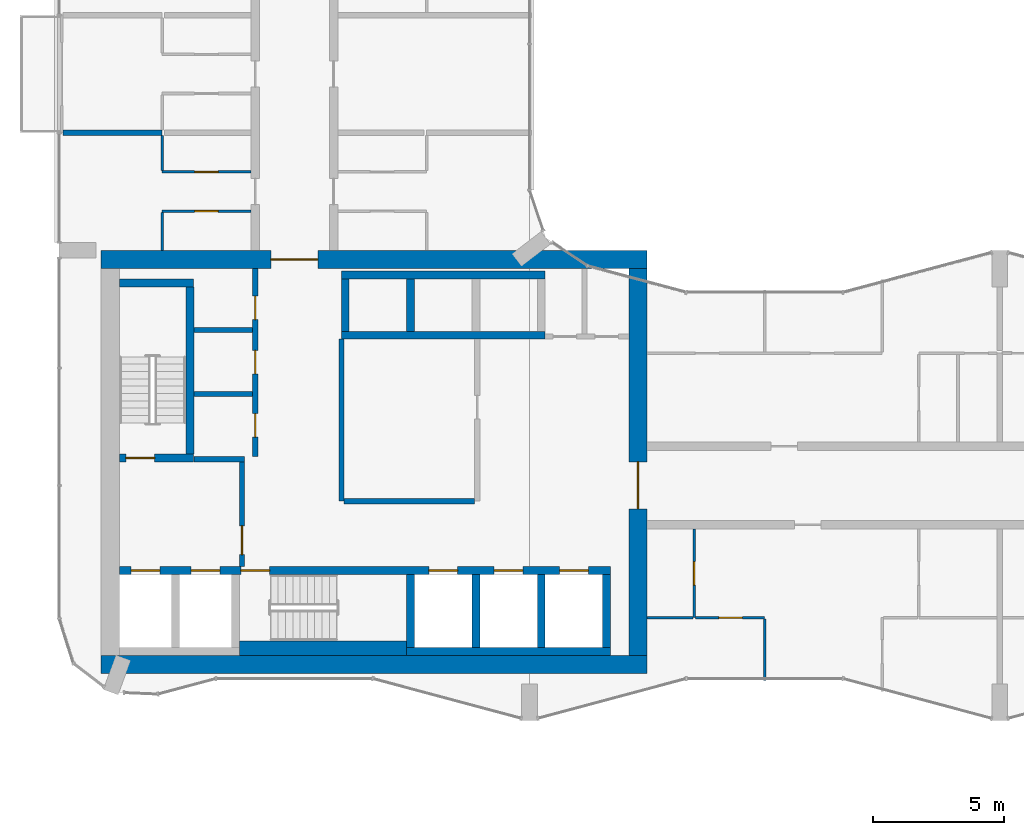
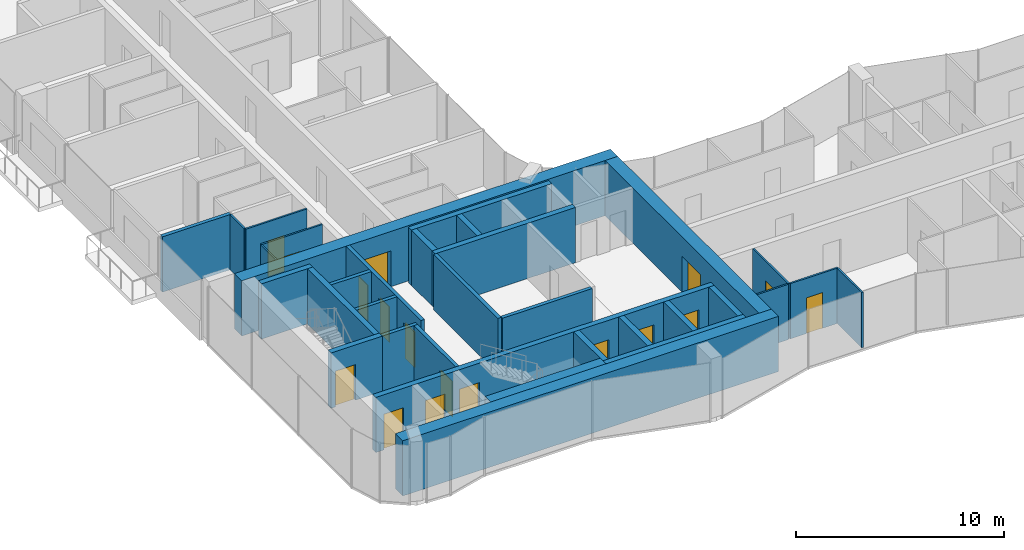
# One storey, part 13 of 23: 33 walls, 17 doors, 17 openings.
"""IFC4 building model written with IfcOpenShell, lengths in metres."""

from ifc_helpers import new_model, si_unit, direction, frame, frame_2d, origin, place, context, subcontext, project, spatial, rectangle, extrude, material, layer, layer_set, type_object, element, fill, save


model = new_model("IFC4")

# Units and contexts
model_context = context("Model", 3, precision=1e-05, world=origin(), true_north=direction((0.0, 1.0)))
body_context = subcontext(model_context, "Body", "Model", "MODEL_VIEW")
ifc_project = project(units=[si_unit("LENGTHUNIT", "METRE"), si_unit("AREAUNIT", "SQUARE_METRE"), si_unit("VOLUMEUNIT", "CUBIC_METRE"), si_unit("PLANEANGLEUNIT", "RADIAN"), si_unit("MASSUNIT", "GRAM", prefix="KILO")], contexts=[model_context])

# Site, building, storey
site_placement = place(None, origin())
site = spatial("IfcSite", under=ifc_project, at=site_placement, CompositionType="ELEMENT")
building_placement = place(site_placement, origin())
building = spatial("IfcBuilding", under=site, at=building_placement, Name="Plateau Cross Towers", CompositionType="ELEMENT")
storey_placement = place(building_placement, frame((0.0, 0.0, 88.800048828125)))
storey = spatial("IfcBuildingStorey", under=building, at=storey_placement, Name="L22", CompositionType="ELEMENT", Elevation=88.800048828125)

# Wall, opening, door
ifc_material_1 = material(Name="Concrete block, plastered both sides", Category="concrete")
ifc_layer_1 = layer(ifc_material_1, 0.199951171875)
ifc_layer_set_1 = layer_set([ifc_layer_1], Name="Concrete block, plastered both sides")
wall_type_1 = type_object("IfcWallType", Name="Core partition 200", PredefinedType="PARTITIONING", material=ifc_layer_set_1)
wall_1_placement = place(storey_placement, frame((7.0, 5.89990234375, 0.0), z_axis=(0.0, 0.0, 1.0), x_axis=(0.0, 1.0, 0.0)))
wall_1 = element("IfcWall", 1, at=wall_1_placement, inside=storey, type_object=wall_type_1, Name="Core partition", PredefinedType="PARTITIONING", context=body_context, shape_type="SweptSolid", body=[
    extrude(rectangle(XDim=4.0, YDim=0.199951171875, at=frame_2d((2.0, 0.0))), origin(), (0.0, 0.0, 1.0), 3.25),
])
opening_1_placement = place(wall_1_placement, frame((0.449951171875, 0.0, 0.0)))
opening_1 = element("IfcOpeningElement", 2, at=opening_1_placement, cuts=wall_1, Name="Opening FFD", PredefinedType="OPENING", context=body_context, shape_type="SweptSolid", body=[
    extrude(rectangle(XDim=1.10009765625, YDim=2.10009765625, at=frame_2d((0.550048828125, 1.050048828125))), frame((0.0, 0.10986328125, 0.0), z_axis=(0.0, -1.0, 0.0), x_axis=(1.0, 0.0, 0.0)), (0.0, 0.0, 1.0), 0.219970703125),
])
ifc_material_2 = material(Name="Steel, fire-resisting leaf", Category="steel")
door_type_1 = type_object("IfcDoorType", Name="Firefighting lobby door 1100", OperationType="NOTDEFINED", PredefinedType="DOOR", material=ifc_material_2)
door_1_placement = place(opening_1_placement, origin())
door_1 = element("IfcDoor", 3, at=door_1_placement, inside=storey, type_object=door_type_1, Name="Firefighting lobby door FFD", OperationType="SINGLE_SWING_LEFT", OverallHeight=2.10009765625, OverallWidth=1.10009765625, PredefinedType="DOOR", context=body_context, shape_type="SweptSolid", body=[
    extrude(rectangle(XDim=1.10009765625, YDim=2.10009765625, at=frame_2d((0.550048828125, 1.050048828125))), frame((0.0, 0.02490234375, 0.0), z_axis=(0.0, -1.0, 0.0), x_axis=(1.0, 0.0, 0.0)), (0.0, 0.0, 1.0), 0.050048828125),
])
fill(opening_1, door_1)

# Walls
wall_2_placement = place(storey_placement, frame((5.14990234375, 10.0, 0.0), z_axis=(0.0, 0.0, 1.0), x_axis=(1.0, 0.0, 0.0)))
element("IfcWall", 4, at=wall_2_placement, inside=storey, type_object=wall_type_1, Name="Core partition", PredefinedType="PARTITIONING", context=body_context, shape_type="SweptSolid", body=[
    extrude(rectangle(XDim=1.9501953125, YDim=0.199951171875, at=frame_2d((0.97509765625, 0.0))), origin(), (0.0, 0.0, 1.0), 3.25),
])
wall_3_placement = place(storey_placement, frame((10.800048828125, 8.39990234375, 0.0), z_axis=(0.0, 0.0, 1.0), x_axis=(0.0, 1.0, 0.0)))
element("IfcWall", 5, at=wall_3_placement, inside=storey, type_object=wall_type_1, Name="Core partition", PredefinedType="PARTITIONING", context=body_context, shape_type="SweptSolid", body=[
    extrude(rectangle(XDim=6.2001953125, YDim=0.199951171875, at=frame_2d((3.10009765625, 0.0))), origin(), (0.0, 0.0, 1.0), 3.25),
])
wall_4_placement = place(storey_placement, frame((10.89990234375, 8.39990234375, 0.0), z_axis=(0.0, 0.0, 1.0), x_axis=(1.0, 0.0, 0.0)))
element("IfcWall", 6, at=wall_4_placement, inside=storey, type_object=wall_type_1, Name="Core partition", PredefinedType="PARTITIONING", context=body_context, shape_type="SweptSolid", body=[
    extrude(rectangle(XDim=5.0, YDim=0.199951171875, at=frame_2d((2.5, 0.0))), origin(), (0.0, 0.0, 1.0), 3.25),
])

# Wall, openings, doors
wall_5_placement = place(storey_placement, frame((7.5, 10.10009765625, 0.0), z_axis=(0.0, 0.0, 1.0), x_axis=(0.0, 1.0, 0.0)))
wall_5 = element("IfcWall", 7, at=wall_5_placement, inside=storey, type_object=wall_type_1, Name="Core partition", PredefinedType="PARTITIONING", context=body_context, shape_type="SweptSolid", body=[
    extrude(rectangle(XDim=7.199951171875, YDim=0.199951171875, at=frame_2d((3.60009765625, 0.0))), origin(), (0.0, 0.0, 1.0), 3.25),
])
opening_2_placement = place(wall_5_placement, frame((0.75, 0.0, 0.0)))
opening_2 = element("IfcOpeningElement", 8, at=opening_2_placement, cuts=wall_5, Name="Opening RD1", PredefinedType="OPENING", context=body_context, shape_type="SweptSolid", body=[
    extrude(rectangle(XDim=0.89990234375, YDim=2.10009765625, at=frame_2d((0.449951171875, 1.050048828125))), frame((0.0, 0.10986328125, 0.0), z_axis=(0.0, -1.0, 0.0), x_axis=(1.0, 0.0, 0.0)), (0.0, 0.0, 1.0), 0.219970703125),
])
opening_3_placement = place(wall_5_placement, frame((3.175048828125, 0.0, 0.0)))
opening_3 = element("IfcOpeningElement", 9, at=opening_3_placement, cuts=wall_5, Name="Opening RD1", PredefinedType="OPENING", context=body_context, shape_type="SweptSolid", body=[
    extrude(rectangle(XDim=0.89990234375, YDim=2.10009765625, at=frame_2d((0.449951171875, 1.050048828125))), frame((0.0, 0.10986328125, 0.0), z_axis=(0.0, -1.0, 0.0), x_axis=(1.0, 0.0, 0.0)), (0.0, 0.0, 1.0), 0.219970703125),
])
opening_4_placement = place(wall_5_placement, frame((5.25, 0.0, 0.0)))
opening_4 = element("IfcOpeningElement", 10, at=opening_4_placement, cuts=wall_5, Name="Opening RD1", PredefinedType="OPENING", context=body_context, shape_type="SweptSolid", body=[
    extrude(rectangle(XDim=0.89990234375, YDim=2.10009765625, at=frame_2d((0.449951171875, 1.050048828125))), frame((0.0, 0.10986328125, 0.0), z_axis=(0.0, -1.0, 0.0), x_axis=(1.0, 0.0, 0.0)), (0.0, 0.0, 1.0), 0.219970703125),
])
ifc_material_3 = material(Name="Timber, fire-resisting leaf", Category="wood")
door_type_2 = type_object("IfcDoorType", Name="Core service door 900", OperationType="NOTDEFINED", PredefinedType="DOOR", material=ifc_material_3)
door_2_placement = place(opening_2_placement, origin())
door_2 = element("IfcDoor", 11, at=door_2_placement, inside=storey, type_object=door_type_2, Name="Core service door RD1", OperationType="SINGLE_SWING_RIGHT", OverallHeight=2.10009765625, OverallWidth=0.89990234375, PredefinedType="DOOR", context=body_context, shape_type="SweptSolid", body=[
    extrude(rectangle(XDim=0.89990234375, YDim=2.10009765625, at=frame_2d((0.449951171875, 1.050048828125))), frame((0.0, 0.02490234375, 0.0), z_axis=(0.0, -1.0, 0.0), x_axis=(1.0, 0.0, 0.0)), (0.0, 0.0, 1.0), 0.050048828125),
])
fill(opening_2, door_2)
door_3_placement = place(opening_3_placement, origin())
door_3 = element("IfcDoor", 12, at=door_3_placement, inside=storey, type_object=door_type_2, Name="Core service door RD1", OperationType="SINGLE_SWING_RIGHT", OverallHeight=2.10009765625, OverallWidth=0.89990234375, PredefinedType="DOOR", context=body_context, shape_type="SweptSolid", body=[
    extrude(rectangle(XDim=0.89990234375, YDim=2.10009765625, at=frame_2d((0.449951171875, 1.050048828125))), frame((0.0, 0.02490234375, 0.0), z_axis=(0.0, -1.0, 0.0), x_axis=(1.0, 0.0, 0.0)), (0.0, 0.0, 1.0), 0.050048828125),
])
fill(opening_3, door_3)
door_4_placement = place(opening_4_placement, origin())
door_4 = element("IfcDoor", 13, at=door_4_placement, inside=storey, type_object=door_type_2, Name="Core service door RD1", OperationType="SINGLE_SWING_RIGHT", OverallHeight=2.10009765625, OverallWidth=0.89990234375, PredefinedType="DOOR", context=body_context, shape_type="SweptSolid", body=[
    extrude(rectangle(XDim=0.89990234375, YDim=2.10009765625, at=frame_2d((0.449951171875, 1.050048828125))), frame((0.0, 0.02490234375, 0.0), z_axis=(0.0, -1.0, 0.0), x_axis=(1.0, 0.0, 0.0)), (0.0, 0.0, 1.0), 0.050048828125),
])
fill(opening_4, door_4)

# Walls
for number, where, z_axis, x_axis, name in (
    (14, (5.14990234375, 12.5, 0.0), (0.0, 0.0, 1.0), (1.0, 0.0, 0.0), "Core partition"),
    (15, (5.14990234375, 14.949951171875, 0.0), (0.0, 0.0, 1.0), (1.0, 0.0, 0.0), "Core partition"),
):
    element("IfcWall", number, at=place(storey_placement, frame(where, z_axis=z_axis, x_axis=x_axis)), inside=storey, type_object=wall_type_1, Name=name, PredefinedType="PARTITIONING", context=body_context, shape_type="SweptSolid", body=[
        extrude(rectangle(XDim=2.25, YDim=0.199951171875, at=frame_2d((1.125, 0.0))), origin(), (0.0, 0.0, 1.0), 3.25),
    ])
ifc_material_4 = material(Name="Concrete C60/75", Category="concrete")
ifc_layer_2 = layer(ifc_material_4, 0.300048828125)
ifc_layer_set_2 = layer_set([ifc_layer_2], Name="Concrete C60/75")
wall_type_2 = type_object("IfcWallType", Name="Core shaft wall 300", PredefinedType="SHEAR", material=ifc_layer_set_2)
wall_6_placement = place(storey_placement, frame((13.300048828125, 2.64990234375, 0.0), z_axis=(0.0, 0.0, 1.0), x_axis=(1.0, 0.0, 0.0)))
element("IfcWall", 16, at=wall_6_placement, inside=storey, type_object=wall_type_2, Name="A-sb-back3@L22", PredefinedType="SHEAR", context=body_context, shape_type="SweptSolid", body=[
    extrude(rectangle(XDim=7.800048828125, YDim=0.300048828125, at=frame_2d((3.89990234375, 0.0))), origin(), (0.0, 0.0, 1.0), 3.25),
])
for number, where, z_axis, x_axis, name in (
    (17, (13.449951171875, 2.800048828125, 0.0), (0.0, 0.0, 1.0), (0.0, 1.0, 0.0), "A-sb-v3@L22"),
    (18, (15.949951171875, 2.800048828125, 0.0), (0.0, 0.0, 1.0), (0.0, 1.0, 0.0), "A-sb-v4@L22"),
    (19, (18.449951171875, 2.800048828125, 0.0), (0.0, 0.0, 1.0), (0.0, 1.0, 0.0), "A-sb-v5@L22"),
    (20, (20.949951171875, 2.800048828125, 0.0), (0.0, 0.0, 1.0), (0.0, 1.0, 0.0), "A-sb-v6@L22"),
):
    element("IfcWall", number, at=place(storey_placement, frame(where, z_axis=z_axis, x_axis=x_axis)), inside=storey, type_object=wall_type_2, Name=name, PredefinedType="SHEAR", context=body_context, shape_type="SweptSolid", body=[
        extrude(rectangle(XDim=2.800048828125, YDim=0.300048828125, at=frame_2d((1.39990234375, 0.0))), origin(), (0.0, 0.0, 1.0), 3.25),
    ])

# Wall, openings, doors
wall_7_placement = place(storey_placement, frame((2.300048828125, 5.75, 0.0), z_axis=(0.0, 0.0, 1.0), x_axis=(1.0, 0.0, 0.0)))
wall_7 = element("IfcWall", 21, at=wall_7_placement, inside=storey, type_object=wall_type_2, Name="A-sb-front@L22", PredefinedType="SHEAR", context=body_context, shape_type="SweptSolid", body=[
    extrude(rectangle(XDim=18.800048828125, YDim=0.300048828125, at=frame_2d((9.39990234375, 0.0))), origin(), (0.0, 0.0, 1.0), 3.25),
])
opening_5_placement = place(wall_7_placement, frame((4.64990234375, 0.0, 0.0)))
opening_5 = element("IfcOpeningElement", 22, at=opening_5_placement, cuts=wall_7, Name="Opening SD", PredefinedType="OPENING", context=body_context, shape_type="SweptSolid", body=[
    extrude(rectangle(XDim=1.10009765625, YDim=2.10009765625, at=frame_2d((0.550048828125, 1.050048828125))), frame((0.0, 0.159912109375, 0.0), z_axis=(0.0, -1.0, 0.0), x_axis=(1.0, 0.0, 0.0)), (0.0, 0.0, 1.0), 0.320068359375),
])
opening_6_placement = place(wall_7_placement, frame((0.449951171875, 0.0, 0.0)))
opening_6 = element("IfcOpeningElement", 23, at=opening_6_placement, cuts=wall_7, Name="Opening LD", PredefinedType="OPENING", context=body_context, shape_type="SweptSolid", body=[
    extrude(rectangle(XDim=1.10009765625, YDim=2.10009765625, at=frame_2d((0.550048828125, 1.050048828125))), frame((0.0, 0.159912109375, 0.0), z_axis=(0.0, -1.0, 0.0), x_axis=(1.0, 0.0, 0.0)), (0.0, 0.0, 1.0), 0.320068359375),
])
opening_7_placement = place(wall_7_placement, frame((2.75, 0.0, 0.0)))
opening_7 = element("IfcOpeningElement", 24, at=opening_7_placement, cuts=wall_7, Name="Opening LD", PredefinedType="OPENING", context=body_context, shape_type="SweptSolid", body=[
    extrude(rectangle(XDim=1.10009765625, YDim=2.10009765625, at=frame_2d((0.550048828125, 1.050048828125))), frame((0.0, 0.159912109375, 0.0), z_axis=(0.0, -1.0, 0.0), x_axis=(1.0, 0.0, 0.0)), (0.0, 0.0, 1.0), 0.320068359375),
])
opening_8_placement = place(wall_7_placement, frame((11.85009765625, 0.0, 0.0)))
opening_8 = element("IfcOpeningElement", 25, at=opening_8_placement, cuts=wall_7, Name="Opening LD", PredefinedType="OPENING", context=body_context, shape_type="SweptSolid", body=[
    extrude(rectangle(XDim=1.10009765625, YDim=2.10009765625, at=frame_2d((0.550048828125, 1.050048828125))), frame((0.0, 0.159912109375, 0.0), z_axis=(0.0, -1.0, 0.0), x_axis=(1.0, 0.0, 0.0)), (0.0, 0.0, 1.0), 0.320068359375),
])
opening_9_placement = place(wall_7_placement, frame((14.35009765625, 0.0, 0.0)))
opening_9 = element("IfcOpeningElement", 26, at=opening_9_placement, cuts=wall_7, Name="Opening LD", PredefinedType="OPENING", context=body_context, shape_type="SweptSolid", body=[
    extrude(rectangle(XDim=1.10009765625, YDim=2.10009765625, at=frame_2d((0.550048828125, 1.050048828125))), frame((0.0, 0.159912109375, 0.0), z_axis=(0.0, -1.0, 0.0), x_axis=(1.0, 0.0, 0.0)), (0.0, 0.0, 1.0), 0.320068359375),
])
opening_10_placement = place(wall_7_placement, frame((16.85009765625, 0.0, 0.0)))
opening_10 = element("IfcOpeningElement", 27, at=opening_10_placement, cuts=wall_7, Name="Opening LD", PredefinedType="OPENING", context=body_context, shape_type="SweptSolid", body=[
    extrude(rectangle(XDim=1.10009765625, YDim=2.10009765625, at=frame_2d((0.550048828125, 1.050048828125))), frame((0.0, 0.159912109375, 0.0), z_axis=(0.0, -1.0, 0.0), x_axis=(1.0, 0.0, 0.0)), (0.0, 0.0, 1.0), 0.320068359375),
])
ifc_material_5 = material(Name="Stainless steel, fire-resisting sliding leaves", Category="steel")
door_type_3 = type_object("IfcDoorType", Name="Lift landing door 1100", OperationType="NOTDEFINED", PredefinedType="DOOR", material=ifc_material_5)
door_5_placement = place(opening_6_placement, origin())
door_5 = element("IfcDoor", 28, at=door_5_placement, inside=storey, type_object=door_type_3, Name="Lift landing door LD", OperationType="DOUBLE_DOOR_SLIDING", OverallHeight=2.10009765625, OverallWidth=1.10009765625, PredefinedType="DOOR", context=body_context, shape_type="SweptSolid", body=[
    extrude(rectangle(XDim=1.10009765625, YDim=2.10009765625, at=frame_2d((0.550048828125, 1.050048828125))), frame((0.0, 0.02490234375, 0.0), z_axis=(0.0, -1.0, 0.0), x_axis=(1.0, 0.0, 0.0)), (0.0, 0.0, 1.0), 0.050048828125),
])
fill(opening_6, door_5)
door_6_placement = place(opening_7_placement, origin())
door_6 = element("IfcDoor", 29, at=door_6_placement, inside=storey, type_object=door_type_3, Name="Lift landing door LD", OperationType="DOUBLE_DOOR_SLIDING", OverallHeight=2.10009765625, OverallWidth=1.10009765625, PredefinedType="DOOR", context=body_context, shape_type="SweptSolid", body=[
    extrude(rectangle(XDim=1.10009765625, YDim=2.10009765625, at=frame_2d((0.550048828125, 1.050048828125))), frame((0.0, 0.02490234375, 0.0), z_axis=(0.0, -1.0, 0.0), x_axis=(1.0, 0.0, 0.0)), (0.0, 0.0, 1.0), 0.050048828125),
])
fill(opening_7, door_6)
door_7_placement = place(opening_8_placement, origin())
door_7 = element("IfcDoor", 30, at=door_7_placement, inside=storey, type_object=door_type_3, Name="Lift landing door LD", OperationType="DOUBLE_DOOR_SLIDING", OverallHeight=2.10009765625, OverallWidth=1.10009765625, PredefinedType="DOOR", context=body_context, shape_type="SweptSolid", body=[
    extrude(rectangle(XDim=1.10009765625, YDim=2.10009765625, at=frame_2d((0.550048828125, 1.050048828125))), frame((0.0, 0.02490234375, 0.0), z_axis=(0.0, -1.0, 0.0), x_axis=(1.0, 0.0, 0.0)), (0.0, 0.0, 1.0), 0.050048828125),
])
fill(opening_8, door_7)
door_8_placement = place(opening_9_placement, origin())
door_8 = element("IfcDoor", 31, at=door_8_placement, inside=storey, type_object=door_type_3, Name="Lift landing door LD", OperationType="DOUBLE_DOOR_SLIDING", OverallHeight=2.10009765625, OverallWidth=1.10009765625, PredefinedType="DOOR", context=body_context, shape_type="SweptSolid", body=[
    extrude(rectangle(XDim=1.10009765625, YDim=2.10009765625, at=frame_2d((0.550048828125, 1.050048828125))), frame((0.0, 0.02490234375, 0.0), z_axis=(0.0, -1.0, 0.0), x_axis=(1.0, 0.0, 0.0)), (0.0, 0.0, 1.0), 0.050048828125),
])
fill(opening_9, door_8)
door_9_placement = place(opening_10_placement, origin())
door_9 = element("IfcDoor", 32, at=door_9_placement, inside=storey, type_object=door_type_3, Name="Lift landing door LD", OperationType="DOUBLE_DOOR_SLIDING", OverallHeight=2.10009765625, OverallWidth=1.10009765625, PredefinedType="DOOR", context=body_context, shape_type="SweptSolid", body=[
    extrude(rectangle(XDim=1.10009765625, YDim=2.10009765625, at=frame_2d((0.550048828125, 1.050048828125))), frame((0.0, 0.02490234375, 0.0), z_axis=(0.0, -1.0, 0.0), x_axis=(1.0, 0.0, 0.0)), (0.0, 0.0, 1.0), 0.050048828125),
])
fill(opening_10, door_9)
door_type_4 = type_object("IfcDoorType", Name="Stair door 1100", OperationType="NOTDEFINED", PredefinedType="DOOR", material=ifc_material_2)
door_10_placement = place(opening_5_placement, origin())
door_10 = element("IfcDoor", 33, at=door_10_placement, inside=storey, type_object=door_type_4, Name="Stair door SD", OperationType="SINGLE_SWING_LEFT", OverallHeight=2.10009765625, OverallWidth=1.10009765625, PredefinedType="DOOR", context=body_context, shape_type="SweptSolid", body=[
    extrude(rectangle(XDim=1.10009765625, YDim=2.10009765625, at=frame_2d((0.550048828125, 1.050048828125))), frame((0.0, 0.02490234375, 0.0), z_axis=(0.0, -1.0, 0.0), x_axis=(1.0, 0.0, 0.0)), (0.0, 0.0, 1.0), 0.050048828125),
])
fill(opening_5, door_10)

# Wall, opening, door
wall_8_placement = place(storey_placement, frame((2.300048828125, 10.050048828125, 0.0), z_axis=(0.0, 0.0, 1.0), x_axis=(1.0, 0.0, 0.0)))
wall_8 = element("IfcWall", 34, at=wall_8_placement, inside=storey, type_object=wall_type_2, Name="A-st1-S@L22", PredefinedType="SHEAR", context=body_context, shape_type="SweptSolid", body=[
    extrude(rectangle(XDim=2.849853515625, YDim=0.300048828125, at=frame_2d((1.4248046875, 0.0))), origin(), (0.0, 0.0, 1.0), 3.25),
])
opening_11_placement = place(wall_8_placement, frame((0.25, 0.0, 0.0)))
opening_11 = element("IfcOpeningElement", 35, at=opening_11_placement, cuts=wall_8, Name="Opening SD", PredefinedType="OPENING", context=body_context, shape_type="SweptSolid", body=[
    extrude(rectangle(XDim=1.10009765625, YDim=2.10009765625, at=frame_2d((0.550048828125, 1.050048828125))), frame((0.0, 0.159912109375, 0.0), z_axis=(0.0, -1.0, 0.0), x_axis=(1.0, 0.0, 0.0)), (0.0, 0.0, 1.0), 0.320068359375),
])
door_11_placement = place(opening_11_placement, origin())
door_11 = element("IfcDoor", 36, at=door_11_placement, inside=storey, type_object=door_type_4, Name="Stair door SD", OperationType="SINGLE_SWING_RIGHT", OverallHeight=2.10009765625, OverallWidth=1.10009765625, PredefinedType="DOOR", context=body_context, shape_type="SweptSolid", body=[
    extrude(rectangle(XDim=1.10009765625, YDim=2.10009765625, at=frame_2d((0.550048828125, 1.050048828125))), frame((0.0, 0.02490234375, 0.0), z_axis=(0.0, -1.0, 0.0), x_axis=(1.0, 0.0, 0.0)), (0.0, 0.0, 1.0), 0.050048828125),
])
fill(opening_11, door_11)

# Walls
wall_9_placement = place(storey_placement, frame((5.0, 10.199951171875, 0.0), z_axis=(0.0, 0.0, 1.0), x_axis=(0.0, 1.0, 0.0)))
element("IfcWall", 37, at=wall_9_placement, inside=storey, type_object=wall_type_2, Name="A-st1-E@L22", PredefinedType="SHEAR", context=body_context, shape_type="SweptSolid", body=[
    extrude(rectangle(XDim=6.400146484375, YDim=0.300048828125, at=frame_2d((3.2001953125, 0.0))), origin(), (0.0, 0.0, 1.0), 3.25),
])
wall_10_placement = place(storey_placement, frame((2.300048828125, 16.75, 0.0), z_axis=(0.0, 0.0, 1.0), x_axis=(1.0, 0.0, 0.0)))
element("IfcWall", 38, at=wall_10_placement, inside=storey, type_object=wall_type_2, Name="A-st1-N@L22", PredefinedType="SHEAR", context=body_context, shape_type="SweptSolid", body=[
    extrude(rectangle(XDim=2.849853515625, YDim=0.300048828125, at=frame_2d((1.4248046875, 0.0))), origin(), (0.0, 0.0, 1.0), 3.25),
])
for number, where, z_axis, x_axis, name in (
    (39, (10.800048828125, 17.050048828125, 0.0), (0.0, 0.0, 1.0), (1.0, 0.0, 0.0), "A-nb-back@L22"),
    (40, (10.800048828125, 14.75, 0.0), (0.0, 0.0, 1.0), (1.0, 0.0, 0.0), "A-nb-front@L22"),
):
    element("IfcWall", number, at=place(storey_placement, frame(where, z_axis=z_axis, x_axis=x_axis)), inside=storey, type_object=wall_type_2, Name=name, PredefinedType="SHEAR", context=body_context, shape_type="SweptSolid", body=[
        extrude(rectangle(XDim=7.800048828125, YDim=0.300048828125, at=frame_2d((3.89990234375, 0.0))), origin(), (0.0, 0.0, 1.0), 3.25),
    ])
for number, where, z_axis, x_axis, name in (
    (41, (10.949951171875, 14.89990234375, 0.0), (0.0, 0.0, 1.0), (0.0, 1.0, 0.0), "A-nb-v1@L22"),
    (42, (13.449951171875, 14.89990234375, 0.0), (0.0, 0.0, 1.0), (0.0, 1.0, 0.0), "A-nb-v2@L22"),
):
    element("IfcWall", number, at=place(storey_placement, frame(where, z_axis=z_axis, x_axis=x_axis)), inside=storey, type_object=wall_type_2, Name=name, PredefinedType="SHEAR", context=body_context, shape_type="SweptSolid", body=[
        extrude(rectangle(XDim=2.0, YDim=0.300048828125, at=frame_2d((1.0, 0.0))), origin(), (0.0, 0.0, 1.0), 3.25),
    ])
ifc_layer_3 = layer(ifc_material_4, 0.550048828125)
ifc_layer_set_3 = layer_set([ifc_layer_3], Name="Concrete C60/75")
wall_type_3 = type_object("IfcWallType", Name="Core shaft wall 550", PredefinedType="SHEAR", material=ifc_layer_set_3)
wall_11_placement = place(storey_placement, frame((6.89990234375, 2.77490234375, 0.0), z_axis=(0.0, 0.0, 1.0), x_axis=(1.0, 0.0, 0.0)))
element("IfcWall", 43, at=wall_11_placement, inside=storey, type_object=wall_type_3, Name="A-sb-back2@L22", PredefinedType="SHEAR", context=body_context, shape_type="SweptSolid", body=[
    extrude(rectangle(XDim=6.400146484375, YDim=0.550048828125, at=frame_2d((3.2001953125, 0.0))), origin(), (0.0, 0.0, 1.0), 3.25),
])
ifc_layer_4 = layer(ifc_material_4, 0.699951171875)
ifc_layer_set_4 = layer_set([ifc_layer_4], Name="Concrete C60/75")
wall_type_4 = type_object("IfcWallType", Name="Core shell wall 700", PredefinedType="SHEAR", material=ifc_layer_set_4)
wall_12_placement = place(storey_placement, frame((1.60009765625, 2.14990234375, 0.0), z_axis=(0.0, 0.0, 1.0), x_axis=(1.0, 0.0, 0.0)))
element("IfcWall", 44, at=wall_12_placement, inside=storey, type_object=wall_type_4, Name="A-core-S@L22", PredefinedType="SHEAR", context=body_context, shape_type="SweptSolid", body=[
    extrude(rectangle(XDim=20.89990234375, YDim=0.699951171875, at=frame_2d((10.449951171875, 0.0))), origin(), (0.0, 0.0, 1.0), 3.25),
])

# Wall, opening, door
wall_13_placement = place(storey_placement, frame((1.60009765625, 17.64990234375, 0.0), z_axis=(0.0, 0.0, 1.0), x_axis=(1.0, 0.0, 0.0)))
wall_13 = element("IfcWall", 45, at=wall_13_placement, inside=storey, type_object=wall_type_4, Name="A-core-N@L22", PredefinedType="SHEAR", context=body_context, shape_type="SweptSolid", body=[
    extrude(rectangle(XDim=20.89990234375, YDim=0.699951171875, at=frame_2d((10.449951171875, 0.0))), origin(), (0.0, 0.0, 1.0), 3.25),
])
opening_12_placement = place(wall_13_placement, frame((6.5, 0.0, 0.0)))
opening_12 = element("IfcOpeningElement", 46, at=opening_12_placement, cuts=wall_13, Name="Opening CD", PredefinedType="OPENING", context=body_context, shape_type="SweptSolid", body=[
    extrude(rectangle(XDim=1.800048828125, YDim=2.10009765625, at=frame_2d((0.89990234375, 1.050048828125))), frame((0.0, 0.35986328125, 0.0), z_axis=(0.0, -1.0, 0.0), x_axis=(1.0, 0.0, 0.0)), (0.0, 0.0, 1.0), 0.719970703125),
])
ifc_material_6 = material(Name="Steel, fire-resisting leaves", Category="steel")
door_type_5 = type_object("IfcDoorType", Name="Corridor door pair 1800", OperationType="NOTDEFINED", PredefinedType="DOOR", material=ifc_material_6)
door_12_placement = place(opening_12_placement, origin())
door_12 = element("IfcDoor", 47, at=door_12_placement, inside=storey, type_object=door_type_5, Name="Corridor door pair CD", OperationType="DOUBLE_DOOR_SINGLE_SWING", OverallHeight=2.10009765625, OverallWidth=1.800048828125, PredefinedType="DOOR", context=body_context, shape_type="SweptSolid", body=[
    extrude(rectangle(XDim=1.800048828125, YDim=2.10009765625, at=frame_2d((0.89990234375, 1.050048828125))), frame((0.0, 0.02490234375, 0.0), z_axis=(0.0, -1.0, 0.0), x_axis=(1.0, 0.0, 0.0)), (0.0, 0.0, 1.0), 0.050048828125),
])
fill(opening_12, door_12)

wall_14_placement = place(storey_placement, frame((22.14990234375, 2.5, 0.0), z_axis=(0.0, 0.0, 1.0), x_axis=(0.0, 1.0, 0.0)))
wall_14 = element("IfcWall", 48, at=wall_14_placement, inside=storey, type_object=wall_type_4, Name="A-core-E@L22", PredefinedType="SHEAR", context=body_context, shape_type="SweptSolid", body=[
    extrude(rectangle(XDim=14.800048828125, YDim=0.699951171875, at=frame_2d((7.39990234375, 0.0))), origin(), (0.0, 0.0, 1.0), 3.25),
])
opening_13_placement = place(wall_14_placement, frame((5.60009765625, 0.0, 0.0)))
opening_13 = element("IfcOpeningElement", 49, at=opening_13_placement, cuts=wall_14, Name="Opening CD", PredefinedType="OPENING", context=body_context, shape_type="SweptSolid", body=[
    extrude(rectangle(XDim=1.800048828125, YDim=2.10009765625, at=frame_2d((0.89990234375, 1.050048828125))), frame((0.0, 0.35986328125, 0.0), z_axis=(0.0, -1.0, 0.0), x_axis=(1.0, 0.0, 0.0)), (0.0, 0.0, 1.0), 0.719970703125),
])
door_13_placement = place(opening_13_placement, origin())
door_13 = element("IfcDoor", 50, at=door_13_placement, inside=storey, type_object=door_type_5, Name="Corridor door pair CD", OperationType="DOUBLE_DOOR_SINGLE_SWING", OverallHeight=2.10009765625, OverallWidth=1.800048828125, PredefinedType="DOOR", context=body_context, shape_type="SweptSolid", body=[
    extrude(rectangle(XDim=1.800048828125, YDim=2.10009765625, at=frame_2d((0.89990234375, 1.050048828125))), frame((0.0, 0.02490234375, 0.0), z_axis=(0.0, -1.0, 0.0), x_axis=(1.0, 0.0, 0.0)), (0.0, 0.0, 1.0), 0.050048828125),
])
fill(opening_13, door_13)

ifc_material_7 = material(Name="Gypsum board on steel studs", Category="steel")
ifc_layer_5 = layer(ifc_material_7, 0.10009765625)
ifc_layer_set_5 = layer_set([ifc_layer_5], Name="Gypsum board on steel studs")
wall_type_5 = type_object("IfcWallType", Name="Flat partition 100", PredefinedType="PARTITIONING", material=ifc_layer_set_5)
wall_15_placement = place(storey_placement, frame((27.0, 3.9375, 0.0), z_axis=(0.0, 0.0, 1.0), x_axis=(-1.0, 0.0, 0.0)))
wall_15 = element("IfcWall", 51, at=wall_15_placement, inside=storey, type_object=wall_type_5, Name="Partition wall", PredefinedType="PARTITIONING", context=body_context, shape_type="SweptSolid", body=[
    extrude(rectangle(XDim=2.64990234375, YDim=0.10009765625, at=frame_2d((1.324951171875, 0.0))), origin(), (0.0, 0.0, 1.0), 3.25),
])
opening_14_placement = place(wall_15_placement, frame((0.85009765625, 0.0, 0.0)))
opening_14 = element("IfcOpeningElement", 52, at=opening_14_placement, cuts=wall_15, Name="Opening 22-20", PredefinedType="OPENING", context=body_context, shape_type="SweptSolid", body=[
    extrude(rectangle(XDim=0.89990234375, YDim=2.10009765625, at=frame_2d((0.449951171875, 1.050048828125))), frame((0.0, 0.06005859375, 0.0), z_axis=(0.0, -1.0, 0.0), x_axis=(1.0, 0.0, 0.0)), (0.0, 0.0, 1.0), 0.1201171875),
])
ifc_material_8 = material(Name="Timber leaf", Category="wood")
door_type_6 = type_object("IfcDoorType", Name="Flat room door 900", OperationType="NOTDEFINED", PredefinedType="DOOR", material=ifc_material_8)
door_14_placement = place(opening_14_placement, origin())
door_14 = element("IfcDoor", 53, at=door_14_placement, inside=storey, type_object=door_type_6, Name="Door 22-20", OperationType="SINGLE_SWING_LEFT", OverallHeight=2.10009765625, OverallWidth=0.89990234375, PredefinedType="DOOR", context=body_context, shape_type="SweptSolid", body=[
    extrude(rectangle(XDim=0.89990234375, YDim=2.10009765625, at=frame_2d((0.449951171875, 1.050048828125))), frame((0.0, 0.02490234375, 0.0), z_axis=(0.0, -1.0, 0.0), x_axis=(1.0, 0.0, 0.0)), (0.0, 0.0, 1.0), 0.050048828125),
])
fill(opening_14, door_14)

# Wall
wall_16_placement = place(storey_placement, frame((22.5, 3.9375, 0.0), z_axis=(0.0, 0.0, 1.0), x_axis=(1.0, 0.0, 0.0)))
element("IfcWall", 54, at=wall_16_placement, inside=storey, type_object=wall_type_5, Name="Partition wall", PredefinedType="PARTITIONING", context=body_context, shape_type="SweptSolid", body=[
    extrude(rectangle(XDim=1.75, YDim=0.10009765625, at=frame_2d((0.875, 0.0))), origin(), (0.0, 0.0, 1.0), 3.25),
])

# Wall, opening, door
wall_17_placement = place(storey_placement, frame((7.33740234375, 19.5, 0.0), z_axis=(0.0, 0.0, 1.0), x_axis=(-1.0, 0.0, 0.0)))
wall_17 = element("IfcWall", 55, at=wall_17_placement, inside=storey, type_object=wall_type_5, Name="Partition wall", PredefinedType="PARTITIONING", context=body_context, shape_type="SweptSolid", body=[
    extrude(rectangle(XDim=3.39990234375, YDim=0.10009765625, at=frame_2d((1.699951171875, 0.0))), origin(), (0.0, 0.0, 1.0), 3.25),
])
opening_15_placement = place(wall_17_placement, frame((1.25, 0.0, 0.0)))
opening_15 = element("IfcOpeningElement", 56, at=opening_15_placement, cuts=wall_17, Name="Opening 22-33", PredefinedType="OPENING", context=body_context, shape_type="SweptSolid", body=[
    extrude(rectangle(XDim=0.89990234375, YDim=2.10009765625, at=frame_2d((0.449951171875, 1.050048828125))), frame((0.0, 0.06005859375, 0.0), z_axis=(0.0, -1.0, 0.0), x_axis=(1.0, 0.0, 0.0)), (0.0, 0.0, 1.0), 0.1201171875),
])
door_15_placement = place(opening_15_placement, origin())
door_15 = element("IfcDoor", 57, at=door_15_placement, inside=storey, type_object=door_type_6, Name="Door 22-33", OperationType="SINGLE_SWING_LEFT", OverallHeight=2.10009765625, OverallWidth=0.89990234375, PredefinedType="DOOR", context=body_context, shape_type="SweptSolid", body=[
    extrude(rectangle(XDim=0.89990234375, YDim=2.10009765625, at=frame_2d((0.449951171875, 1.050048828125))), frame((0.0, 0.02490234375, 0.0), z_axis=(0.0, -1.0, 0.0), x_axis=(1.0, 0.0, 0.0)), (0.0, 0.0, 1.0), 0.050048828125),
])
fill(opening_15, door_15)

wall_18_placement = place(storey_placement, frame((3.9375, 21.0, 0.0), z_axis=(0.0, 0.0, 1.0), x_axis=(1.0, 0.0, 0.0)))
wall_18 = element("IfcWall", 58, at=wall_18_placement, inside=storey, type_object=wall_type_5, Name="Partition wall", PredefinedType="PARTITIONING", context=body_context, shape_type="SweptSolid", body=[
    extrude(rectangle(XDim=3.39990234375, YDim=0.10009765625, at=frame_2d((1.699951171875, 0.0))), origin(), (0.0, 0.0, 1.0), 3.25),
])
opening_16_placement = place(wall_18_placement, frame((1.25, 0.0, 0.0)))
opening_16 = element("IfcOpeningElement", 59, at=opening_16_placement, cuts=wall_18, Name="Opening 22-34", PredefinedType="OPENING", context=body_context, shape_type="SweptSolid", body=[
    extrude(rectangle(XDim=0.89990234375, YDim=2.10009765625, at=frame_2d((0.449951171875, 1.050048828125))), frame((0.0, 0.06005859375, 0.0), z_axis=(0.0, -1.0, 0.0), x_axis=(1.0, 0.0, 0.0)), (0.0, 0.0, 1.0), 0.1201171875),
])
door_16_placement = place(opening_16_placement, origin())
door_16 = element("IfcDoor", 60, at=door_16_placement, inside=storey, type_object=door_type_6, Name="Door 22-34", OperationType="SINGLE_SWING_LEFT", OverallHeight=2.10009765625, OverallWidth=0.89990234375, PredefinedType="DOOR", context=body_context, shape_type="SweptSolid", body=[
    extrude(rectangle(XDim=0.89990234375, YDim=2.10009765625, at=frame_2d((0.449951171875, 1.050048828125))), frame((0.0, 0.02490234375, 0.0), z_axis=(0.0, -1.0, 0.0), x_axis=(1.0, 0.0, 0.0)), (0.0, 0.0, 1.0), 0.050048828125),
])
fill(opening_16, door_16)

# Walls
wall_19_placement = place(storey_placement, frame((3.9375, 19.449951171875, 0.0), z_axis=(0.0, 0.0, 1.0), x_axis=(0.0, -1.0, 0.0)))
element("IfcWall", 61, at=wall_19_placement, inside=storey, type_object=wall_type_5, Name="Partition wall", PredefinedType="PARTITIONING", context=body_context, shape_type="SweptSolid", body=[
    extrude(rectangle(XDim=1.449951171875, YDim=0.10009765625, at=frame_2d((0.72509765625, 0.0))), origin(), (0.0, 0.0, 1.0), 3.25),
])
wall_20_placement = place(storey_placement, frame((3.9375, 22.39990234375, 0.0), z_axis=(0.0, 0.0, 1.0), x_axis=(0.0, -1.0, 0.0)))
element("IfcWall", 62, at=wall_20_placement, inside=storey, type_object=wall_type_5, Name="Partition wall", PredefinedType="PARTITIONING", context=body_context, shape_type="SweptSolid", body=[
    extrude(rectangle(XDim=1.349853515625, YDim=0.10009765625, at=frame_2d((0.6748046875, 0.0))), origin(), (0.0, 0.0, 1.0), 3.25),
])

# Wall, opening, door
wall_21_placement = place(storey_placement, frame((24.300048828125, 3.9375, 0.0), z_axis=(0.0, 0.0, 1.0), x_axis=(0.0, 1.0, 0.0)))
wall_21 = element("IfcWall", 63, at=wall_21_placement, inside=storey, type_object=wall_type_5, Name="Partition wall", PredefinedType="PARTITIONING", context=body_context, shape_type="SweptSolid", body=[
    extrude(rectangle(XDim=3.39990234375, YDim=0.10009765625, at=frame_2d((1.699951171875, 0.0))), origin(), (0.0, 0.0, 1.0), 3.25),
])
opening_17_placement = place(wall_21_placement, frame((1.25, 0.0, 0.0)))
opening_17 = element("IfcOpeningElement", 64, at=opening_17_placement, cuts=wall_21, Name="Opening 22-18", PredefinedType="OPENING", context=body_context, shape_type="SweptSolid", body=[
    extrude(rectangle(XDim=0.89990234375, YDim=2.10009765625, at=frame_2d((0.449951171875, 1.050048828125))), frame((0.0, 0.06005859375, 0.0), z_axis=(0.0, -1.0, 0.0), x_axis=(1.0, 0.0, 0.0)), (0.0, 0.0, 1.0), 0.1201171875),
])
door_17_placement = place(opening_17_placement, origin())
door_17 = element("IfcDoor", 65, at=door_17_placement, inside=storey, type_object=door_type_6, Name="Door 22-18", OperationType="SINGLE_SWING_LEFT", OverallHeight=2.10009765625, OverallWidth=0.89990234375, PredefinedType="DOOR", context=body_context, shape_type="SweptSolid", body=[
    extrude(rectangle(XDim=0.89990234375, YDim=2.10009765625, at=frame_2d((0.449951171875, 1.050048828125))), frame((0.0, 0.02490234375, 0.0), z_axis=(0.0, -1.0, 0.0), x_axis=(1.0, 0.0, 0.0)), (0.0, 0.0, 1.0), 0.050048828125),
])
fill(opening_17, door_17)

# Walls
wall_22_placement = place(storey_placement, frame((27.0, 1.52685546875, 0.0), z_axis=(0.0, 0.0, 1.0), x_axis=(0.0, 1.0, 0.0)))
element("IfcWall", 66, at=wall_22_placement, inside=storey, type_object=wall_type_5, Name="Partition wall", PredefinedType="PARTITIONING", context=body_context, shape_type="SweptSolid", body=[
    extrude(rectangle(XDim=2.360595703125, YDim=0.10009765625, at=frame_2d((1.18017578125, 0.0))), origin(), (0.0, 0.0, 1.0), 3.25),
])
ifc_material_9 = material(Name="Gypsum board on steel studs, two layers each side", Category="steel")
ifc_layer_6 = layer(ifc_material_9, 0.199951171875)
ifc_layer_set_6 = layer_set([ifc_layer_6], Name="Gypsum board on steel studs, two layers each side")
wall_type_6 = type_object("IfcWallType", Name="Flat party wall 200", PredefinedType="PARTITIONING", material=ifc_layer_set_6)
wall_23_placement = place(storey_placement, frame((0.14990234375, 22.5, 0.0), z_axis=(0.0, 0.0, 1.0), x_axis=(1.0, 0.0, 0.0)))
element("IfcWall", 67, at=wall_23_placement, inside=storey, type_object=wall_type_6, Name="Party wall", PredefinedType="PARTITIONING", context=body_context, shape_type="SweptSolid", body=[
    extrude(rectangle(XDim=3.78759765625, YDim=0.199951171875, at=frame_2d((1.893798828125, 0.0))), origin(), (0.0, 0.0, 1.0), 3.25),
])

save(model, "model.ifc")
